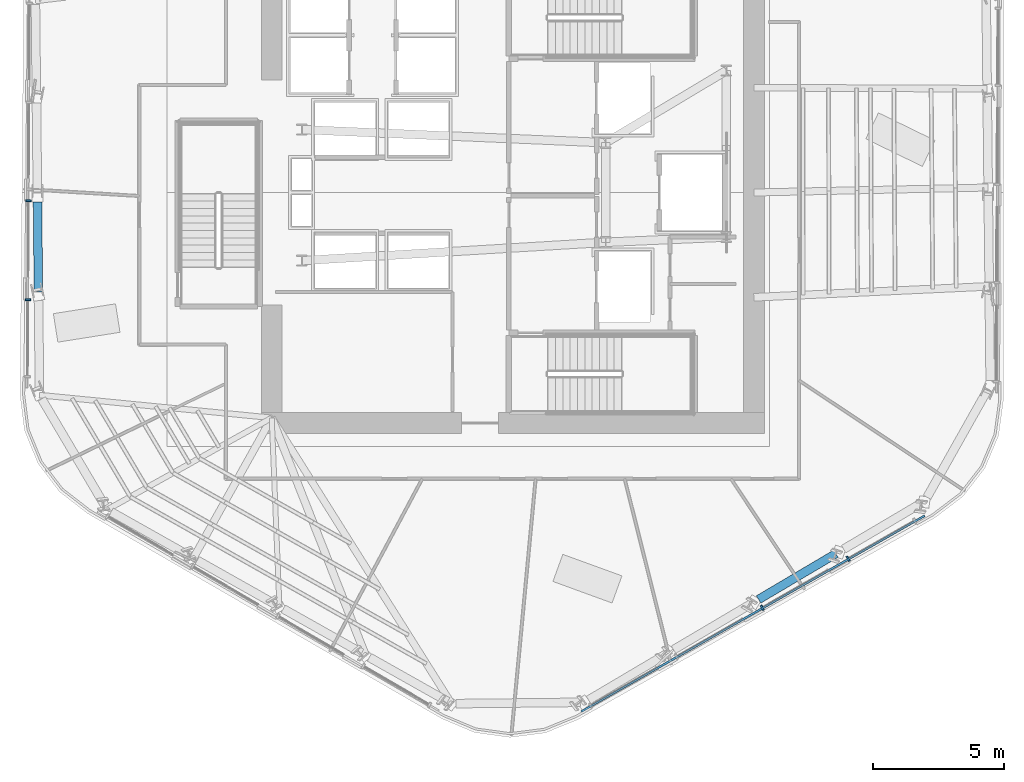
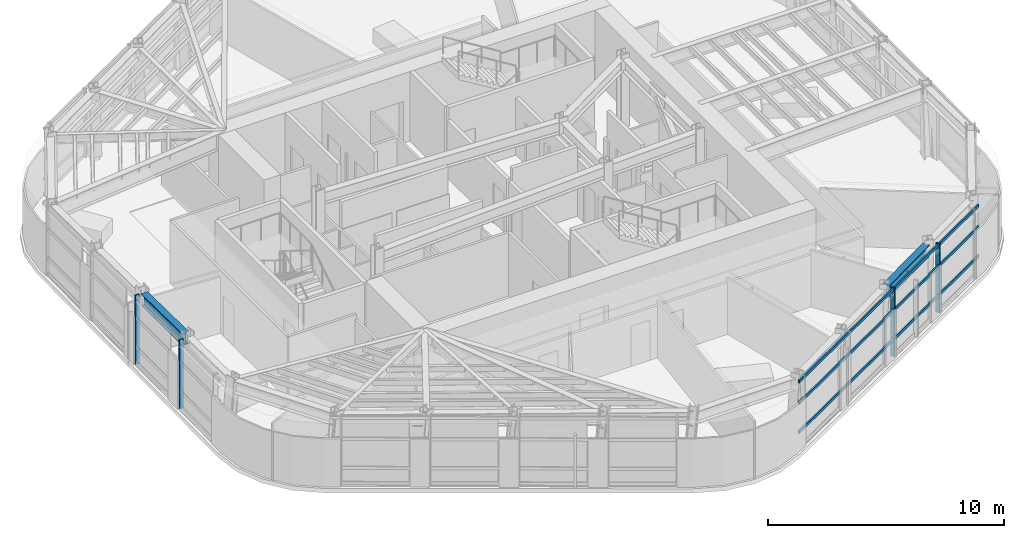
# One storey, part 3 of 16: 7 members, 2 beams, 2 elements without a shape of their own.
"""IFC4 building model written with IfcOpenShell, lengths in metres."""

from ifc_helpers import new_model, si_unit, direction, frame, origin, origin_2d, place, context, subcontext, project, spatial, rectangle, i_section, extrude, material, layer, layer_set, material_profile, profile_set, type_object, element, aggregate, save


model = new_model("IFC4")

# Units and contexts
model_context = context("Model", 3, precision=1e-05, world=origin(), true_north=direction((0.0, 1.0)))
body_context = subcontext(model_context, "Body", "Model", "MODEL_VIEW")
ifc_project = project(units=[si_unit("LENGTHUNIT", "METRE"), si_unit("AREAUNIT", "SQUARE_METRE"), si_unit("VOLUMEUNIT", "CUBIC_METRE"), si_unit("PLANEANGLEUNIT", "RADIAN"), si_unit("MASSUNIT", "GRAM", prefix="KILO")], contexts=[model_context])

# Site, building, storey
site_placement = place(None, origin())
site = spatial("IfcSite", under=ifc_project, at=site_placement, CompositionType="ELEMENT")
building_placement = place(site_placement, origin())
building = spatial("IfcBuilding", under=site, at=building_placement, Name="Valkerne Bourse Tower", CompositionType="ELEMENT")
storey_placement = place(building_placement, frame((0.0, 0.0, 151.39990234375)))
storey = spatial("IfcBuildingStorey", under=building, at=storey_placement, Name="L38", CompositionType="ELEMENT", Elevation=151.39990234375)

# Beams
ifc_material_1 = material(Name="Steel ASTM A992", Category="steel")
ifc_material_profile_1 = material_profile(ifc_material_1, i_section(OverallWidth=0.32763671875, OverallDepth=0.62744140625, WebThickness=0.0166015625, FlangeThickness=0.027587890625, FilletRadius=0.020263671875, at=origin_2d()), Name="W24X146")
ifc_profile_set_1 = profile_set([ifc_material_profile_1], Name="Steel ASTM A992")
beam_type = type_object("IfcBeamType", Name="BM-W24X146", PredefinedType="SPANDREL", material=ifc_profile_set_1)
beam_1_placement = place(storey_placement, frame((28.65966796875, 26.639892578125, 3.266357421875), z_axis=(0.010460571958, -0.99994528672, 0.0), x_axis=(0.99994528672, 0.010460571958, 0.0)))
element("IfcBeam", 1, at=beam_1_placement, inside=storey, type_object=beam_type, Name="L38 Hexagonal Spandrel Ring Beam 12", PredefinedType="SPANDREL", context=body_context, shape_type="SweptSolid", body=[
    extrude(i_section(OverallWidth=0.32763671875, OverallDepth=0.62744140625, WebThickness=0.0166015625, FlangeThickness=0.027587890625, FilletRadius=0.020263671875, at=origin_2d()), origin(), (0.0, 0.0, 1.0), 3.430908203125),
])
beam_2_placement = place(storey_placement, frame((56.181884765625, 11.469970703125, 3.266357421875), z_axis=(0.860746574239, 0.509033726718, 0.0), x_axis=(-0.509033726718, 0.860746574239, 0.0)))
element("IfcBeam", 2, at=beam_2_placement, inside=storey, type_object=beam_type, Name="L38 Hexagonal Spandrel Ring Beam 22", PredefinedType="SPANDREL", context=body_context, shape_type="SweptSolid", body=[
    extrude(i_section(OverallWidth=0.32763671875, OverallDepth=0.62744140625, WebThickness=0.0166015625, FlangeThickness=0.027587890625, FilletRadius=0.020263671875, at=origin_2d()), origin(), (0.0, 0.0, 1.0), 3.43115234375),
])

# Curtain wall, members
ifc_material_2 = material(Name="Aluminium AA 6063-T6", Category="aluminium")
ifc_layer = layer(ifc_material_2, 0.235107421875)
ifc_layer_set = layer_set([ifc_layer], Name="Aluminium AA 6063-T6")
curtain_wall_type = type_object("IfcCurtainWallType", Name="CW-03", PredefinedType="NOTDEFINED", material=ifc_layer_set)
curtain_wall_1_placement = place(storey_placement, origin())
curtain_wall_1 = element("IfcCurtainWall", 3, at=curtain_wall_1_placement, inside=storey, type_object=curtain_wall_type, Name="L38 Hexagonal Stick Curtain Wall Face 3", PredefinedType="NOTDEFINED")
ifc_material_profile_2 = material_profile(ifc_material_2, rectangle(XDim=0.074951171875, YDim=0.199951171875, at=origin_2d()), Name="CWM-75X200")
ifc_profile_set_2 = profile_set([ifc_material_profile_2], Name="Aluminium AA 6063-T6")
member_type_1 = type_object("IfcMemberType", Name="CW-MUL-220X75", PredefinedType="MULLION", material=ifc_profile_set_2)
member_1_placement = place(storey_placement, frame((28.314697265625, 26.6767578125, 0.0), z_axis=(0.0, 0.0, 1.0), x_axis=(-0.005224007215, -0.999986354781, 0.0)))
member_1 = element("IfcMember", 4, at=member_1_placement, type_object=member_type_1, Name="CW-L38-F3 Jamb Mullion 02A", PredefinedType="MULLION", context=body_context, shape_type="SweptSolid", body=[
    extrude(rectangle(XDim=0.074951171875, YDim=0.199951171875, at=origin_2d()), origin(), (0.0, 0.0, 1.0), 3.580078125),
])
member_2_placement = place(storey_placement, frame((28.295166015625, 22.90576171875, 0.0), z_axis=(0.0, 0.0, 1.0), x_axis=(-0.005250663525, -0.999986215171, 0.0)))
member_2 = element("IfcMember", 5, at=member_2_placement, type_object=member_type_1, Name="CW-L38-F3 Jamb Mullion 03A", PredefinedType="MULLION", context=body_context, shape_type="SweptSolid", body=[
    extrude(rectangle(XDim=0.074951171875, YDim=0.199951171875, at=origin_2d()), origin(), (0.0, 0.0, 1.0), 3.580078125),
])
aggregate(curtain_wall_1, [member_1, member_2])

curtain_wall_2_placement = place(storey_placement, origin())
curtain_wall_2 = element("IfcCurtainWall", 6, at=curtain_wall_2_placement, inside=storey, type_object=curtain_wall_type, Name="L38 Hexagonal Stick Curtain Wall Face 5", PredefinedType="NOTDEFINED")
member_3_placement = place(storey_placement, frame((56.322509765625, 11.153076171875, 0.0), z_axis=(0.0, 0.0, 1.0), x_axis=(0.868628005446, 0.4954648203, 0.0)))
member_3 = element("IfcMember", 7, at=member_3_placement, type_object=member_type_1, Name="CW-L38-F5 Jamb Mullion 02A", PredefinedType="MULLION", context=body_context, shape_type="SweptSolid", body=[
    extrude(rectangle(XDim=0.074951171875, YDim=0.199951171875, at=origin_2d()), origin(), (0.0, 0.0, 1.0), 3.580078125),
])
member_4_placement = place(storey_placement, frame((59.59814453125, 13.021484375, 0.0), z_axis=(0.0, 0.0, 1.0), x_axis=(0.868628005446, 0.4954648203, 0.0)))
member_4 = element("IfcMember", 8, at=member_4_placement, type_object=member_type_1, Name="CW-L38-F5 Jamb Mullion 03A", PredefinedType="MULLION", context=body_context, shape_type="SweptSolid", body=[
    extrude(rectangle(XDim=0.074951171875, YDim=0.199951171875, at=origin_2d()), origin(), (0.0, 0.0, 1.0), 3.580078125),
])
ifc_material_profile_3 = material_profile(ifc_material_2, rectangle(XDim=0.074951171875, YDim=0.14990234375, at=origin_2d()), Name="CWT-75X150")
ifc_profile_set_3 = profile_set([ifc_material_profile_3], Name="Aluminium AA 6063-T6")
member_type_2 = type_object("IfcMemberType", Name="CW-TRN-180X65", PredefinedType="USERDEFINED", material=ifc_profile_set_3)
member_5_placement = place(storey_placement, frame((49.41650390625, 7.19091796875, 0.900146484375), z_axis=(0.868632324949, 0.495457247452, 0.0), x_axis=(-0.495457247452, 0.868632324949, 0.0)))
member_5 = element("IfcMember", 9, at=member_5_placement, type_object=member_type_2, Name="CW-L38-F5 Continuous Face Transom 2", ObjectType="TRANSOM", PredefinedType="USERDEFINED", context=body_context, shape_type="SweptSolid", body=[
    extrude(rectangle(XDim=0.074951171875, YDim=0.14990234375, at=origin_2d()), origin(), (0.0, 0.0, 1.0), 15.083740234375),
])
member_6_placement = place(storey_placement, frame((49.41650390625, 7.19091796875, 2.400146484375), z_axis=(0.868632324949, 0.495457247452, 0.0), x_axis=(-0.495457247452, 0.868632324949, 0.0)))
member_6 = element("IfcMember", 10, at=member_6_placement, type_object=member_type_2, Name="CW-L38-F5 Continuous Face Transom 3", ObjectType="TRANSOM", PredefinedType="USERDEFINED", context=body_context, shape_type="SweptSolid", body=[
    extrude(rectangle(XDim=0.074951171875, YDim=0.14990234375, at=origin_2d()), origin(), (0.0, 0.0, 1.0), 15.083740234375),
])
member_7_placement = place(storey_placement, frame((49.41650390625, 7.19091796875, 3.5), z_axis=(0.868632324949, 0.495457247452, 0.0), x_axis=(-0.495457247452, 0.868632324949, 0.0)))
member_7 = element("IfcMember", 11, at=member_7_placement, type_object=member_type_2, Name="CW-L38-F5 Continuous Face Transom 4", ObjectType="TRANSOM", PredefinedType="USERDEFINED", context=body_context, shape_type="SweptSolid", body=[
    extrude(rectangle(XDim=0.074951171875, YDim=0.14990234375, at=origin_2d()), origin(), (0.0, 0.0, 1.0), 15.083740234375),
])
aggregate(curtain_wall_2, [member_5, member_6, member_7, member_3, member_4])

save(model, "model.ifc")
